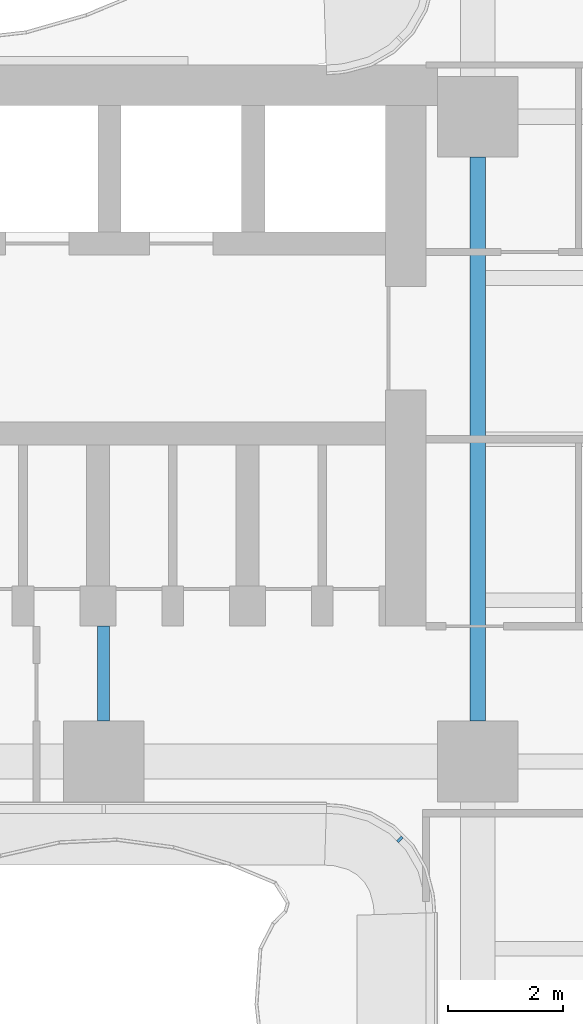
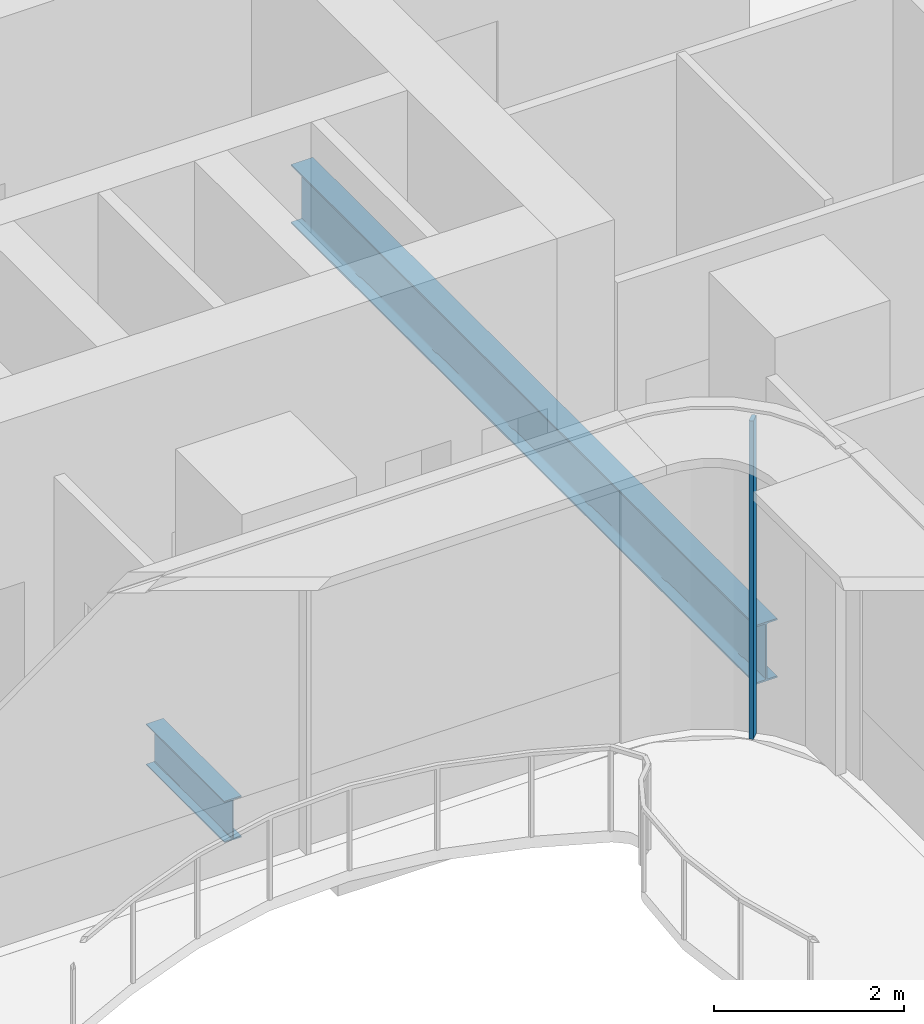
# One storey, part 4 of 23: 2 beams, 1 member, 1 element without a shape of its own.
"""IFC4 building model written with IfcOpenShell, lengths in metres."""

import ifcopenshell
import ifcopenshell.guid

model = None  # the IFC model being written
_history = None  # IfcOwnerHistory: only IFC2X3 demands one
_inside = {}  # id of a spatial element -> (the spatial element, [elements in it])
_under = {}  # id of a project, library or spatial element -> (it, [spatial elements below it])
_declared = {}  # id of a project -> (the project, [libraries it declares])
_typed = {}  # id of a type object -> (the type object, [elements of that type])
_made_of = {}  # id of a material, layer set ... -> (it, [elements and type objects made of it])


def new_model(schema):
    """Start an empty IFC model of exactly this schema.

    Asked for "IFC4X3", IfcOpenShell would pick the latest addendum, in which some entities
    have other attributes; the version numbers below select the first issue.
    IFC2X3 requires an IfcOwnerHistory on every rooted entity: one is made here for all.
    """
    global model, _history
    if schema == "IFC4X3":
        model = ifcopenshell.file(schema_version=(4, 3, 0, 0))
    else:
        model = ifcopenshell.file(schema=schema)
    _inside.clear()
    _under.clear()
    _declared.clear()
    _typed.clear()
    _made_of.clear()
    _history = None
    if model.schema == "IFC2X3":
        org = make("IfcOrganization", Name="unknown")
        user = make(
            "IfcPersonAndOrganization",
            ThePerson=make("IfcPerson", FamilyName="unknown"),
            TheOrganization=org,
        )
        app = make(
            "IfcApplication",
            ApplicationDeveloper=org,
            Version="unknown",
            ApplicationFullName="unknown",
            ApplicationIdentifier="unknown",
        )
        _history = make(
            "IfcOwnerHistory",
            OwningUser=user,
            OwningApplication=app,
            ChangeAction="ADDED",
            CreationDate=0,
        )
    return model


def make(cls, **values):
    """One entity of the class cls with the attributes given. An attribute that is None is left unset."""
    return model.create_entity(
        cls, **{name: value for name, value in values.items() if value is not None}
    )


def rooted(cls, **values):
    """An entity with a GlobalId (a new one), such as an element, a storey or a relation."""
    return make(cls, GlobalId=ifcopenshell.guid.new(), OwnerHistory=_history, **values)


def si_unit(unit_type, name, prefix=None):
    """IfcSIUnit, for example si_unit("LENGTHUNIT", "METRE", prefix="MILLI")."""
    return make("IfcSIUnit", UnitType=unit_type, Prefix=prefix, Name=name)


def assignment(units):
    """IfcUnitAssignment: the units of a project."""
    return None if units is None else make("IfcUnitAssignment", Units=units)


def point(xyz):
    """IfcCartesianPoint."""
    return None if xyz is None else make("IfcCartesianPoint", Coordinates=xyz)


def direction(xyz):
    """IfcDirection."""
    return None if xyz is None else make("IfcDirection", DirectionRatios=xyz)


def frame(location, z_axis=None, x_axis=None):
    """IfcAxis2Placement3D, a coordinate frame: its origin and axes. An axis left out is left unset."""
    return make(
        "IfcAxis2Placement3D",
        Location=point(location),
        Axis=direction(z_axis),
        RefDirection=direction(x_axis),
    )


def frame_2d(location, x_axis=None):
    """IfcAxis2Placement2D, a coordinate frame in the plane: its origin and x axis."""
    return make(
        "IfcAxis2Placement2D", Location=point(location), RefDirection=direction(x_axis)
    )


def origin():
    """The frame at (0, 0, 0) with its axes left unset."""
    return frame((0.0, 0.0, 0.0))


def origin_2d():
    """The frame at (0, 0) in the plane with its x axis left unset."""
    return frame_2d((0.0, 0.0))


def place(relative_to, where):
    """IfcLocalPlacement: puts the frame where relative to a parent placement (None: the world)."""
    return make(
        "IfcLocalPlacement", PlacementRelTo=relative_to, RelativePlacement=where
    )


def context(
    kind, dimensions, precision=None, world=None, true_north=None, identifier=None
):
    """IfcGeometricRepresentationContext, for example the 3D "Model" context."""
    return make(
        "IfcGeometricRepresentationContext",
        ContextIdentifier=identifier,
        ContextType=kind,
        CoordinateSpaceDimension=dimensions,
        Precision=precision,
        WorldCoordinateSystem=world,
        TrueNorth=true_north,
    )


def subcontext(parent, identifier, kind, view, scale=None):
    """IfcGeometricRepresentationSubContext, for example "Body" below "Model"."""
    return make(
        "IfcGeometricRepresentationSubContext",
        ContextIdentifier=identifier,
        ContextType=kind,
        ParentContext=parent,
        TargetScale=scale,
        TargetView=view,
    )


def project(units=None, contexts=None):
    """IfcProject with its units and contexts."""
    return rooted(
        "IfcProject",
        Name="project",
        RepresentationContexts=contexts,
        UnitsInContext=assignment(units),
    )


def spatial(cls, under=None, at=None, **own):
    """A site, building, storey or space (cls), placed at a placement, below another one or the project."""
    s = rooted(cls, ObjectPlacement=at, **own)
    if under is not None:
        _under.setdefault(under.id(), (under, []))[1].append(s)
    return s


def profile(cls, at=None, kind="AREA", **sizes):
    """A parametric profile (cls). Its sizes go by their IFC names, for example OverallWidth=200.0."""
    return make(cls, ProfileType=kind, Position=at, **sizes)


def rectangle(**sizes):
    """IfcRectangleProfileDef."""
    return profile("IfcRectangleProfileDef", **sizes)


def i_section(**sizes):
    """IfcIShapeProfileDef."""
    return profile("IfcIShapeProfileDef", **sizes)


def extrude(swept, where, along, depth):
    """IfcExtrudedAreaSolid: the profile swept, set in the frame where, extruded along a direction by depth."""
    return make(
        "IfcExtrudedAreaSolid",
        SweptArea=swept,
        Position=where,
        ExtrudedDirection=direction(along),
        Depth=depth,
    )


def shape(context_of_items, identifier, shape_type, items):
    """IfcShapeRepresentation: the items that make up one representation, for example the "Body"."""
    return make(
        "IfcShapeRepresentation",
        ContextOfItems=context_of_items,
        RepresentationIdentifier=identifier,
        RepresentationType=shape_type,
        Items=items,
    )


def source(mapping_origin, context_of_items, identifier, shape_type, items):
    """IfcRepresentationMap: a shape defined once, which mapped items show again and again."""
    return make(
        "IfcRepresentationMap",
        MappingOrigin=mapping_origin,
        MappedRepresentation=shape(context_of_items, identifier, shape_type, items),
    )


def transform(
    local_origin,
    x_axis=None,
    y_axis=None,
    z_axis=None,
    scale=None,
    scale2=None,
    scale3=None,
    uniform=True,
):
    """IfcCartesianTransformationOperator3D, or its non-uniform kind. x_axis, y_axis, z_axis: its Axis1, 2, 3."""
    if uniform:
        return make(
            "IfcCartesianTransformationOperator3D",
            Axis1=direction(x_axis),
            Axis2=direction(y_axis),
            LocalOrigin=point(local_origin),
            Scale=scale,
            Axis3=direction(z_axis),
        )
    return make(
        "IfcCartesianTransformationOperator3DnonUniform",
        Axis1=direction(x_axis),
        Axis2=direction(y_axis),
        LocalOrigin=point(local_origin),
        Scale=scale,
        Axis3=direction(z_axis),
        Scale2=scale2,
        Scale3=scale3,
    )


def mapped(mapping_source, mapping_target):
    """IfcMappedItem: shows the shape of a source again, moved by a transform."""
    return make(
        "IfcMappedItem", MappingSource=mapping_source, MappingTarget=mapping_target
    )


def material(Name=None, Category=None):
    """IfcMaterial."""
    return make("IfcMaterial", Name=Name, Category=Category)


def layer(
    of_material, thickness, ventilated=None, Name=None, Category=None, Priority=None
):
    """IfcMaterialLayer: one layer of a wall or slab, of a material (None: an air gap)."""
    return make(
        "IfcMaterialLayer",
        Material=of_material,
        LayerThickness=thickness,
        IsVentilated=ventilated,
        Name=Name,
        Category=Category,
        Priority=Priority,
    )


def layer_set(layers, Name=None):
    """IfcMaterialLayerSet."""
    return make("IfcMaterialLayerSet", MaterialLayers=layers, LayerSetName=Name)


def material_profile(
    of_material, cross_section, Name=None, Category=None, Priority=None
):
    """IfcMaterialProfile: a cross section and its material."""
    return make(
        "IfcMaterialProfile",
        Name=Name,
        Material=of_material,
        Profile=cross_section,
        Priority=Priority,
        Category=Category,
    )


def profile_set(profiles, Name=None, composite=None):
    """IfcMaterialProfileSet."""
    return make(
        "IfcMaterialProfileSet",
        Name=Name,
        MaterialProfiles=profiles,
        CompositeProfile=composite,
    )


def made_of(thing, what):
    """Note that an element or type object is made of a material, layer set ...; save() writes the relation."""
    if what is not None:
        _made_of.setdefault(what.id(), (what, []))[1].append(thing)
    return thing


def type_object(cls, material=None, **own):
    """A type object (cls), such as IfcWallType, which elements share."""
    return made_of(rooted(cls, **own), material)


def element(
    cls,
    number,
    at=None,
    inside=None,
    cuts=None,
    type_object=None,
    material=None,
    context=None,
    identifier="Body",
    shape_type=None,
    held_by="IfcProductDefinitionShape",
    body=None,
    shapes=None,
    **own,
):
    """One element of the class cls, such as IfcWall. Its Tag is "e" and its number.

    at: its placement. inside: the storey or other place that contains it. cuts: it is an
    opening in that element (IfcRelVoidsElement). A single representation is given by context,
    identifier, shape_type and body (its items); several are given by shapes. held_by: the class
    of the entity that holds the representations. save() writes the other relations.
    """
    e = rooted(cls, Tag="e%d" % number, ObjectPlacement=at, **own)
    if body is not None:
        shapes = [shape(context, identifier, shape_type, body)]
    if shapes is not None:
        e.Representation = make(held_by, Representations=shapes)
    if inside is not None:
        _inside.setdefault(inside.id(), (inside, []))[1].append(e)
    if cuts is not None:
        rooted(
            "IfcRelVoidsElement", RelatingBuildingElement=cuts, RelatedOpeningElement=e
        )
    if type_object is not None:
        _typed.setdefault(type_object.id(), (type_object, []))[1].append(e)
    return made_of(e, material)


def aggregate(whole, parts):
    """IfcRelAggregates: a whole, such as a stair, and the parts it consists of."""
    return rooted("IfcRelAggregates", RelatingObject=whole, RelatedObjects=parts)


def save(model, path):
    """Write the relations noted so far, then the file.

    IfcRelAggregates (storeys below a building ...), IfcRelContainedInSpatialStructure (elements
    in a storey), IfcRelDefinesByType, IfcRelAssociatesMaterial and IfcRelDeclares: one each for
    every whole, place, type object, material and project.
    """
    for whole, parts in _under.values():
        aggregate(whole, parts)
    for where, things in _inside.values():
        rooted(
            "IfcRelContainedInSpatialStructure",
            RelatedElements=things,
            RelatingStructure=where,
        )
    for kind, things in _typed.values():
        rooted("IfcRelDefinesByType", RelatedObjects=things, RelatingType=kind)
    for what, things in _made_of.values():
        rooted("IfcRelAssociatesMaterial", RelatedObjects=things, RelatingMaterial=what)
    for by, libraries in _declared.values():
        rooted("IfcRelDeclares", RelatingContext=by, RelatedDefinitions=libraries)
    model.write(path)


model = new_model("IFC4")

# Units and contexts
model_context = context("Model", 3, precision=1e-05, world=origin(), true_north=direction((0.0, 1.0)))
body_context = subcontext(model_context, "Body", "Model", "MODEL_VIEW")
ifc_project = project(units=[si_unit("LENGTHUNIT", "METRE"), si_unit("AREAUNIT", "SQUARE_METRE"), si_unit("VOLUMEUNIT", "CUBIC_METRE"), si_unit("PLANEANGLEUNIT", "RADIAN"), si_unit("MASSUNIT", "GRAM", prefix="KILO")], contexts=[model_context])

# Site, building, storey
site_placement = place(None, origin())
site = spatial("IfcSite", under=ifc_project, at=site_placement, CompositionType="ELEMENT")
building_placement = place(site_placement, origin())
building = spatial("IfcBuilding", under=site, at=building_placement, Name="Trellis Farm Tower", CompositionType="ELEMENT")
storey_placement = place(building_placement, frame((0.0, 0.0, 83.5)))
storey = spatial("IfcBuildingStorey", under=building, at=storey_placement, Name="L17", CompositionType="ELEMENT", Elevation=83.5)

# Beams
ifc_material_1 = material(Name="Steel S355", Category="steel")
ifc_material_profile_1 = material_profile(ifc_material_1, i_section(OverallWidth=0.2666015625, OverallDepth=0.76220703125, WebThickness=0.014404296875, FlangeThickness=0.021484375, FilletRadius=0.0166015625, at=origin_2d()), Name="UB 762x267x173")
ifc_profile_set_1 = profile_set([ifc_material_profile_1], Name="Steel S355")
beam_type_1 = type_object("IfcBeamType", Name="UB 762x267x173", PredefinedType="BEAM", material=ifc_profile_set_1)
shared_shape_1 = source(origin(), body_context, "Body", "SweptSolid", [
    extrude(i_section(OverallWidth=0.2666015625, OverallDepth=0.76220703125, WebThickness=0.014404296875, FlangeThickness=0.021484375, FilletRadius=0.0166015625, at=origin_2d()), origin(), (0.0, 0.0, 1.0), 9.7998046875),
])
beam_1_placement = place(storey_placement, frame((-5.60009765625, -4.89990234375, -0.631103515625), z_axis=(0.0, 1.0, 0.0), x_axis=(-1.0, 0.0, 0.0)))
element("IfcBeam", 1, at=beam_1_placement, inside=storey, type_object=beam_type_1, Name="Girder", PredefinedType="BEAM", context=body_context, shape_type="MappedRepresentation", body=[
    mapped(shared_shape_1, transform((0.0, 0.0, 0.0))),
])
ifc_material_profile_2 = material_profile(ifc_material_1, i_section(OverallWidth=0.209228515625, OverallDepth=0.533203125, WebThickness=0.010009765625, FlangeThickness=0.015625, FilletRadius=0.0126953125, at=origin_2d()), Name="UB 533x210x92")
ifc_profile_set_2 = profile_set([ifc_material_profile_2], Name="Steel S355")
beam_type_2 = type_object("IfcBeamType", Name="UB 533x210x92", PredefinedType="BEAM", material=ifc_profile_set_2)
shared_shape_2 = source(origin(), body_context, "Body", "SweptSolid", [
    extrude(i_section(OverallWidth=0.209228515625, OverallDepth=0.533203125, WebThickness=0.010009765625, FlangeThickness=0.015625, FilletRadius=0.0126953125, at=origin_2d()), origin(), (0.0, 0.0, 1.0), 1.64990234375),
])
beam_2_placement = place(storey_placement, frame((-12.10009765625, -4.89990234375, -0.5166015625), z_axis=(0.0, 1.0, 0.0), x_axis=(-1.0, 0.0, 0.0)))
element("IfcBeam", 2, at=beam_2_placement, inside=storey, type_object=beam_type_2, Name="Girder", PredefinedType="BEAM", context=body_context, shape_type="MappedRepresentation", body=[
    mapped(shared_shape_2, transform((0.0, 0.0, 0.0))),
])

# Curtain wall, member
ifc_material_2 = material(Name="Aluminium and glass curtain wall", Category="aluminium")
ifc_layer = layer(ifc_material_2, 0.166015625)
ifc_layer_set = layer_set([ifc_layer], Name="WINTER GARDEN CURTAIN WALL CW3")
curtain_wall_type = type_object("IfcCurtainWallType", Name="WINTER GARDEN CURTAIN WALL CW3", PredefinedType="NOTDEFINED", material=ifc_layer_set)
curtain_wall_placement = place(storey_placement, origin())
curtain_wall = element("IfcCurtainWall", 3, at=curtain_wall_placement, inside=storey, type_object=curtain_wall_type, Name="CW3 001", PredefinedType="NOTDEFINED")
ifc_material_3 = material(Name="Aluminium extrusion 6063-T6", Category="aluminium")
ifc_material_profile_3 = material_profile(ifc_material_3, rectangle(XDim=0.050048828125, YDim=0.1201171875, at=origin_2d()), Name="MULLION 50x120")
ifc_profile_set_3 = profile_set([ifc_material_profile_3], Name="Aluminium extrusion 6063-T6")
member_type = type_object("IfcMemberType", Name="CW3 MULLION 50x120", PredefinedType="MULLION", material=ifc_profile_set_3)
shared_shape_3 = source(origin(), body_context, "Body", "SweptSolid", [
    extrude(rectangle(XDim=0.050048828125, YDim=0.1201171875, at=origin_2d()), origin(), (0.0, 0.0, 1.0), 4.10009765625),
])
member_placement = place(storey_placement, frame((-6.953125, -6.953125, 0.0), z_axis=(0.0, 0.0, 1.0), x_axis=(0.707106781187, -0.707106781187, 0.0)))
member = element("IfcMember", 4, at=member_placement, type_object=member_type, Name="MU3 001-01", PredefinedType="MULLION", context=body_context, shape_type="MappedRepresentation", body=[
    mapped(shared_shape_3, transform((0.0, 0.0, 0.0))),
])
aggregate(curtain_wall, [member])

save(model, "model.ifc")
